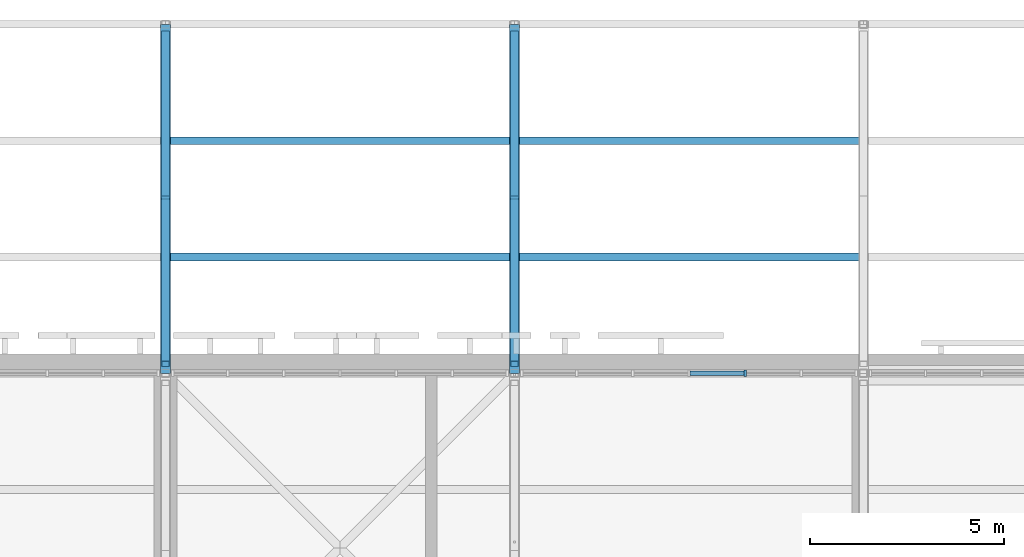
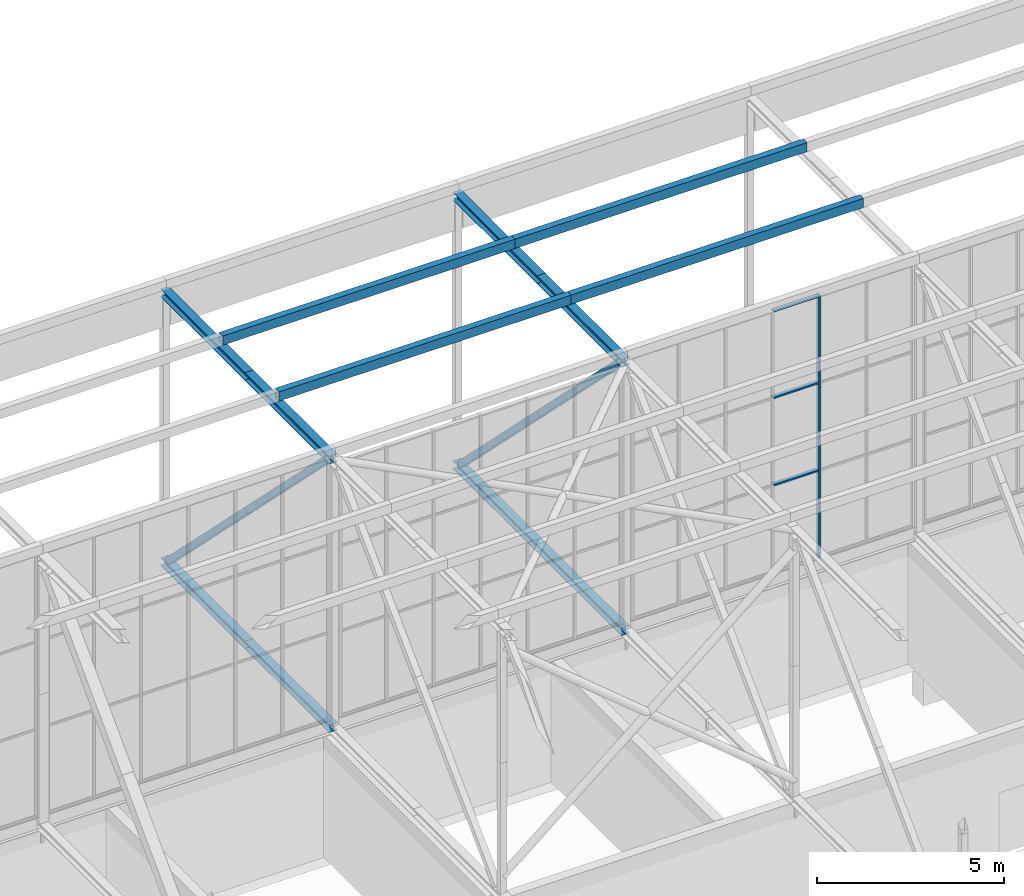
# One storey, part 129 of 646: 20 members, 1 element without a shape of its own.
"""IFC4 building model written with IfcOpenShell, lengths in metres."""

from ifc_helpers import new_model, si_unit, direction, frame, origin, origin_2d, place, context, subcontext, project, spatial, rectangle, hollow_rectangle, i_section, extrude, material, material_profile, profile_set, type_object, element, aggregate, save


model = new_model("IFC4")

# Units and contexts
model_context = context("Model", 3, precision=1e-05, world=origin(), true_north=direction((0.0, 1.0)))
body_context = subcontext(model_context, "Body", "Model", "MODEL_VIEW")
ifc_project = project(units=[si_unit("LENGTHUNIT", "METRE"), si_unit("AREAUNIT", "SQUARE_METRE"), si_unit("VOLUMEUNIT", "CUBIC_METRE"), si_unit("PLANEANGLEUNIT", "RADIAN"), si_unit("MASSUNIT", "GRAM", prefix="KILO")], contexts=[model_context])

# Site, building, storey
site_placement = place(None, origin())
site = spatial("IfcSite", under=ifc_project, at=site_placement, CompositionType="ELEMENT")
building_placement = place(site_placement, origin())
building = spatial("IfcBuilding", under=site, at=building_placement, Name="Silverbay Arena", CompositionType="ELEMENT")
storey_placement = place(building_placement, frame((0.0, 0.0, 33.5)))
storey = spatial("IfcBuildingStorey", under=building, at=storey_placement, Name="L05", CompositionType="ELEMENT", Elevation=33.5)

# Members
ifc_material_1 = material(Name="Steel S355", Category="steel")
ifc_material_profile_1 = material_profile(ifc_material_1, i_section(OverallWidth=0.254638671875, OverallDepth=0.254150390625, WebThickness=0.008544921875, FlangeThickness=0.01416015625, at=origin_2d()), Name="UC 254x254x73")
ifc_profile_set_1 = profile_set([ifc_material_profile_1], Name="Steel S355")
member_type_1 = type_object("IfcMemberType", Name="Medium-span bottom chord UC 254x254x73", PredefinedType="CHORD", material=ifc_profile_set_1)
for number, where, z_axis, x_axis, name in (
    (1, (162.0, 144.0, 4.126953125), (0.0, 1.0, 0.0), (-1.0, 0.0, 0.0), "ROOF TRUSS 19 bottom chord 16a"),
    (2, (162.0, 148.5, 4.126953125), (0.0, 1.0, 0.0), (-1.0, 0.0, 0.0), "ROOF TRUSS 19 bottom chord 16b"),
    (3, (171.0, 144.0, 4.126953125), (0.0, 1.0, 0.0), (-1.0, 0.0, 0.0), "ROOF TRUSS 20 bottom chord 16a"),
    (4, (171.0, 148.5, 4.126953125), (0.0, 1.0, 0.0), (-1.0, 0.0, 0.0), "ROOF TRUSS 20 bottom chord 16b"),
):
    element("IfcMember", number, at=place(storey_placement, frame(where, z_axis=z_axis, x_axis=x_axis)), inside=storey, type_object=member_type_1, Name=name, PredefinedType="CHORD", context=body_context, shape_type="SweptSolid", body=[
        extrude(i_section(OverallWidth=0.254638671875, OverallDepth=0.254150390625, WebThickness=0.008544921875, FlangeThickness=0.01416015625, at=origin_2d()), origin(), (0.0, 0.0, 1.0), 4.5),
    ])
ifc_material_2 = material(Name="Steel S355", Category="steel")
ifc_material_profile_2 = material_profile(ifc_material_2, i_section(OverallWidth=0.254638671875, OverallDepth=0.254150390625, WebThickness=0.008544921875, FlangeThickness=0.01416015625, at=origin_2d()), Name="UC 254x254x73")
ifc_profile_set_2 = profile_set([ifc_material_profile_2], Name="Steel S355")
member_type_2 = type_object("IfcMemberType", Name="Medium-span top chord UC 254x254x73", PredefinedType="CHORD", material=ifc_profile_set_2)
for number, where, z_axis, x_axis, name in (
    (5, (162.0, 144.0, 12.873046875), (0.0, 1.0, 0.0), (-1.0, 0.0, 0.0), "ROOF TRUSS 19 top chord 16a"),
    (6, (162.0, 148.5, 12.873046875), (0.0, 1.0, 0.0), (-1.0, 0.0, 0.0), "ROOF TRUSS 19 top chord 16b"),
    (7, (171.0, 144.0, 12.873046875), (0.0, 1.0, 0.0), (-1.0, 0.0, 0.0), "ROOF TRUSS 20 top chord 16a"),
    (8, (171.0, 148.5, 12.873046875), (0.0, 1.0, 0.0), (-1.0, 0.0, 0.0), "ROOF TRUSS 20 top chord 16b"),
):
    element("IfcMember", number, at=place(storey_placement, frame(where, z_axis=z_axis, x_axis=x_axis)), inside=storey, type_object=member_type_2, Name=name, PredefinedType="CHORD", context=body_context, shape_type="SweptSolid", body=[
        extrude(i_section(OverallWidth=0.254638671875, OverallDepth=0.254150390625, WebThickness=0.008544921875, FlangeThickness=0.01416015625, at=origin_2d()), origin(), (0.0, 0.0, 1.0), 4.5),
    ])
ifc_material_3 = material(Name="Steel S355", Category="steel")
ifc_material_profile_3 = material_profile(ifc_material_3, hollow_rectangle(XDim=0.199951171875, YDim=0.199951171875, WallThickness=0.008056640625, at=origin_2d()), Name="SHS 200x200x8")
ifc_profile_set_3 = profile_set([ifc_material_profile_3], Name="Steel S355")
member_type_3 = type_object("IfcMemberType", Name="Medium-span truss diagonal SHS 200x200x8", PredefinedType="BRACE", material=ifc_profile_set_3)
for number, where, z_axis, x_axis, name in (
    (9, (162.0, 144.24560546875, 12.745849609375), (0.0, 0.70781724692, -0.706395600894), (-1.0, 0.0, 0.0), "ROOF TRUSS 19 diagonal 16a"),
    (10, (162.0, 148.5, 8.5), (0.0, 0.70781724692, -0.706395600894), (-1.0, 0.0, 0.0), "ROOF TRUSS 19 diagonal 16b"),
    (11, (171.0, 144.24560546875, 12.745849609375), (0.0, 0.70781724692, -0.706395600894), (-1.0, 0.0, 0.0), "ROOF TRUSS 20 diagonal 16a"),
    (12, (171.0, 148.5, 8.5), (0.0, 0.70781724692, -0.706395600894), (-1.0, 0.0, 0.0), "ROOF TRUSS 20 diagonal 16b"),
):
    element("IfcMember", number, at=place(storey_placement, frame(where, z_axis=z_axis, x_axis=x_axis)), inside=storey, type_object=member_type_3, Name=name, PredefinedType="BRACE", context=body_context, shape_type="SweptSolid", body=[
        extrude(hollow_rectangle(XDim=0.199951171875, YDim=0.199951171875, WallThickness=0.008056640625, at=origin_2d()), origin(), (0.0, 0.0, 1.0), 6.010498046875),
    ])

# Curtain wall, member
ifc_material_4 = material(Name="Aluminium framed glazing", Category="aluminium")
curtain_wall_type = type_object("IfcCurtainWallType", Name="Curtain wall clerestory 8693 x 8540", PredefinedType="NOTDEFINED", material=ifc_material_4)
curtain_wall_placement = place(storey_placement, origin())
curtain_wall = element("IfcCurtainWall", 13, at=curtain_wall_placement, inside=storey, type_object=curtain_wall_type, Name="ROOF CLERESTORY CURTAIN WALL north bay 14", PredefinedType="NOTDEFINED")
ifc_material_5 = material(Name="Aluminium", Category="aluminium")
ifc_material_profile_4 = material_profile(ifc_material_5, rectangle(XDim=0.159912109375, YDim=0.06005859375, at=origin_2d()), Name="Mullion 60 x 160")
ifc_profile_set_4 = profile_set([ifc_material_profile_4], Name="Aluminium")
member_type_4 = type_object("IfcMemberType", Name="Mullion 60 x 160", PredefinedType="MULLION", material=ifc_profile_set_4)
member_1_placement = place(storey_placement, frame((176.94873046875, 144.0, 4.4599609375), z_axis=(0.0, 0.0, 1.0), x_axis=(0.0, 1.0, 0.0)))
member_1 = element("IfcMember", 14, at=member_1_placement, type_object=member_type_4, Name="CW55 mullion 5", PredefinedType="MULLION", context=body_context, shape_type="SweptSolid", body=[
    extrude(rectangle(XDim=0.159912109375, YDim=0.06005859375, at=origin_2d()), origin(), (0.0, 0.0, 1.0), 8.5400390625),
])

# Members
ifc_material_6 = material(Name="Steel S355", Category="steel")
ifc_material_profile_5 = material_profile(ifc_material_6, hollow_rectangle(XDim=0.199951171875, YDim=0.300048828125, WallThickness=0.008056640625, at=origin_2d()), Name="RHS 300x200x8")
ifc_profile_set_5 = profile_set([ifc_material_profile_5], Name="Steel S355")
member_type_5 = type_object("IfcMemberType", Name="Purlin RHS 300x200x8", PredefinedType="PURLIN", material=ifc_profile_set_5)
for number, where, z_axis, x_axis, name in (
    (15, (162.0, 147.0, 13.14990234375), (1.0, 0.0, 0.0), (0.0, 1.0, 0.0), "ROOF PURLIN 19-20 line 47"),
    (16, (162.0, 150.0, 13.14990234375), (1.0, 0.0, 0.0), (0.0, 1.0, 0.0), "ROOF PURLIN 19-20 line 48"),
    (17, (171.0, 147.0, 13.14990234375), (1.0, 0.0, 0.0), (0.0, 1.0, 0.0), "ROOF PURLIN 20-21 line 47"),
    (18, (171.0, 150.0, 13.14990234375), (1.0, 0.0, 0.0), (0.0, 1.0, 0.0), "ROOF PURLIN 20-21 line 48"),
):
    element("IfcMember", number, at=place(storey_placement, frame(where, z_axis=z_axis, x_axis=x_axis)), inside=storey, type_object=member_type_5, Name=name, PredefinedType="PURLIN", context=body_context, shape_type="SweptSolid", body=[
        extrude(hollow_rectangle(XDim=0.199951171875, YDim=0.300048828125, WallThickness=0.008056640625, at=origin_2d()), origin(), (0.0, 0.0, 1.0), 9.0),
    ])

# Member
ifc_material_7 = material(Name="Aluminium", Category="aluminium")
ifc_material_profile_6 = material_profile(ifc_material_7, rectangle(XDim=0.1201171875, YDim=0.050048828125, at=origin_2d()), Name="Transom 50 x 120")
ifc_profile_set_6 = profile_set([ifc_material_profile_6], Name="Aluminium")
member_type_6 = type_object("IfcMemberType", Name="Transom 50 x 120", PredefinedType="USERDEFINED", material=ifc_profile_set_6)
member_2_placement = place(storey_placement, frame((175.530029296875, 144.0, 7.306640625), z_axis=(1.0, 0.0, 0.0), x_axis=(0.0, 1.0, 0.0)))
member_2 = element("IfcMember", 19, at=member_2_placement, type_object=member_type_6, Name="CW55 transom 4.2", ObjectType="TRANSOM", PredefinedType="USERDEFINED", context=body_context, shape_type="SweptSolid", body=[
    extrude(rectangle(XDim=0.1201171875, YDim=0.050048828125, at=origin_2d()), origin(), (0.0, 0.0, 1.0), 1.388671875),
])

member_3_placement = place(storey_placement, frame((175.530029296875, 144.0, 10.1533203125), z_axis=(1.0, 0.0, 0.0), x_axis=(0.0, 1.0, 0.0)))
member_3 = element("IfcMember", 20, at=member_3_placement, type_object=member_type_6, Name="CW55 transom 4.3", ObjectType="TRANSOM", PredefinedType="USERDEFINED", context=body_context, shape_type="SweptSolid", body=[
    extrude(rectangle(XDim=0.1201171875, YDim=0.050048828125, at=origin_2d()), origin(), (0.0, 0.0, 1.0), 1.388671875),
])

member_4_placement = place(storey_placement, frame((175.530029296875, 144.0, 12.97509765625), z_axis=(1.0, 0.0, 0.0), x_axis=(0.0, 1.0, 0.0)))
member_4 = element("IfcMember", 21, at=member_4_placement, type_object=member_type_6, Name="CW55 transom 4.4", ObjectType="TRANSOM", PredefinedType="USERDEFINED", context=body_context, shape_type="SweptSolid", body=[
    extrude(rectangle(XDim=0.1201171875, YDim=0.050048828125, at=origin_2d()), origin(), (0.0, 0.0, 1.0), 1.388671875),
])

aggregate(curtain_wall, [member_1, member_2, member_3, member_4])

save(model, "model.ifc")
